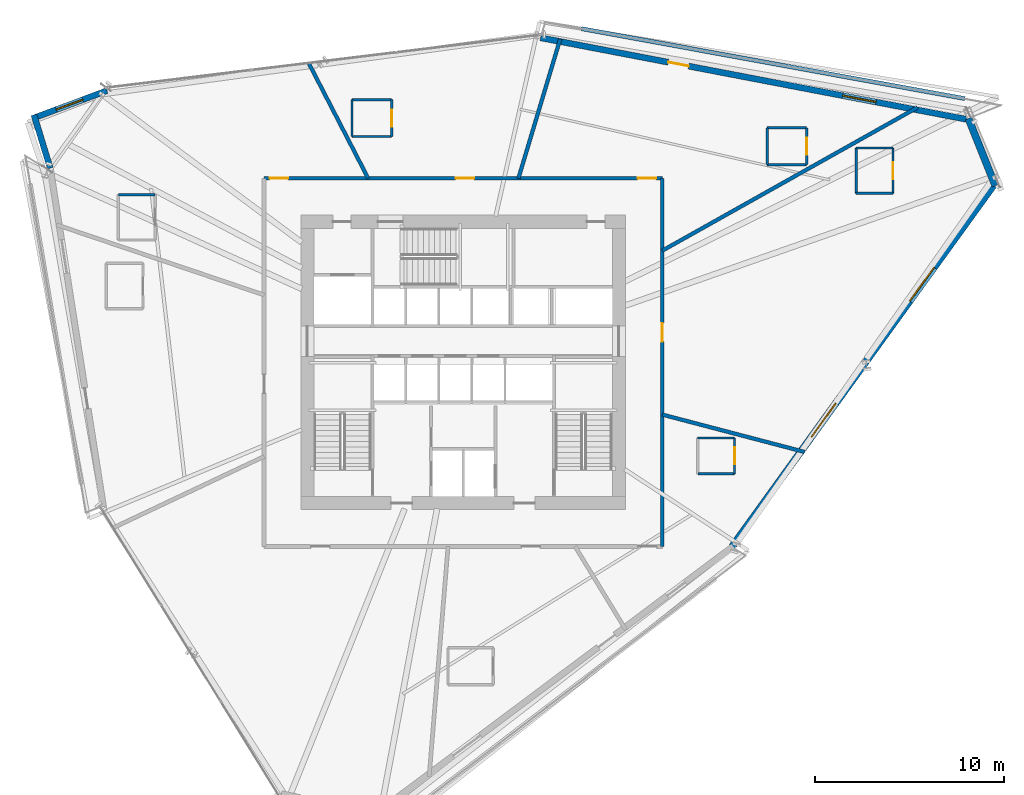
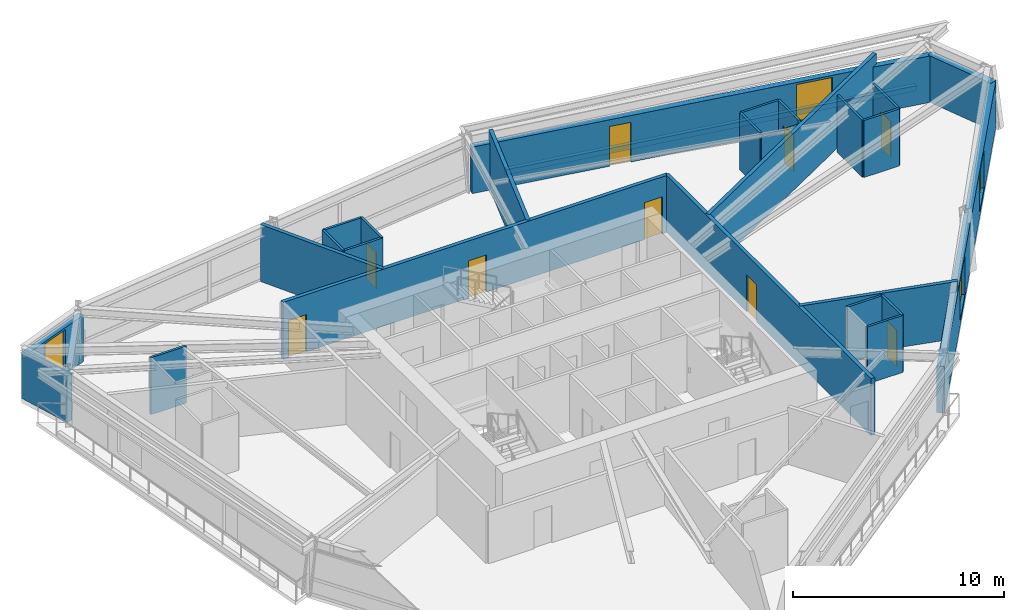
# One storey, part 14 of 18: 28 walls, 9 doors, 4 windows, 13 openings.
"""IFC4 building model written with IfcOpenShell, lengths in metres."""

from ifc_helpers import new_model, si_unit, direction, frame, frame_2d, origin, place, context, subcontext, project, spatial, rectangle, extrude, source, transform, mapped, material, layer, layer_set, type_object, type_shapes, element, fill, save


model = new_model("IFC4")

# Units and contexts
model_context = context("Model", 3, precision=1e-05, world=origin(), true_north=direction((0.0, 1.0)))
body_context = subcontext(model_context, "Body", "Model", "MODEL_VIEW")
ifc_project = project(units=[si_unit("LENGTHUNIT", "METRE"), si_unit("AREAUNIT", "SQUARE_METRE"), si_unit("VOLUMEUNIT", "CUBIC_METRE"), si_unit("PLANEANGLEUNIT", "RADIAN"), si_unit("MASSUNIT", "GRAM", prefix="KILO")], contexts=[model_context])

# Site, building, storey
site_placement = place(None, origin())
site = spatial("IfcSite", under=ifc_project, at=site_placement, CompositionType="ELEMENT")
building_placement = place(site_placement, origin())
building = spatial("IfcBuilding", under=site, at=building_placement, Name="Olszyna Solenne Hotel", CompositionType="ELEMENT")
storey_placement = place(building_placement, frame((0.0, 0.0, 123.449951171875)))
storey = spatial("IfcBuildingStorey", under=building, at=storey_placement, Name="L32", CompositionType="ELEMENT", Elevation=123.449951171875)

# Wall
ifc_material_1 = material(Name="Precast concrete C45/55", Category="concrete")
ifc_layer_1 = layer(ifc_material_1, 0.320068359375, Name="Precast concrete C45/55")
ifc_layer_set_1 = layer_set([ifc_layer_1], Name="Precast concrete C45/55")
wall_type_1 = type_object("IfcWallType", Name="WL-EX320", PredefinedType="SOLIDWALL", material=ifc_layer_set_1)
wall_1_placement = place(storey_placement, frame((16.123779296875, 36.88818359375, 0.0), z_axis=(0.0, 0.0, 1.0), x_axis=(-0.29180664309, 0.956477330128, 0.0)))
element("IfcWall", 1, at=wall_1_placement, inside=storey, type_object=wall_type_1, Name="Exterior terracotta-precast frame wall WL-EX320 EW-L32-05", PredefinedType="SOLIDWALL", context=body_context, shape_type="SweptSolid", body=[
    extrude(rectangle(XDim=2.95166015625, YDim=0.320068359375, at=frame_2d((1.475830078125, 0.0))), origin(), (0.0, 0.0, 1.0), 2.692138671875),
])

# Wall, opening, window
wall_2_placement = place(storey_placement, frame((15.165283203125, 39.514892578125, 0.0), z_axis=(0.0, 0.0, 1.0), x_axis=(0.936906542146, 0.349579935472, 0.0)))
wall_2 = element("IfcWall", 2, at=wall_2_placement, inside=storey, type_object=wall_type_1, Name="Exterior terracotta-precast frame wall WL-EX320 EW-L32-06", PredefinedType="SOLIDWALL", context=body_context, shape_type="SweptSolid", body=[
    extrude(rectangle(XDim=4.230712890625, YDim=0.320068359375, at=frame_2d((2.115234375, 0.0))), origin(), (0.0, 0.0, 1.0), 2.692138671875),
])
opening_1_placement = place(wall_2_placement, frame((1.364990234375, 0.0, 0.27197265625)))
opening_1 = element("IfcOpeningElement", 3, at=opening_1_placement, cuts=wall_2, Name="Opening WN-L32-185", PredefinedType="OPENING", context=body_context, shape_type="SweptSolid", body=[
    extrude(rectangle(XDim=1.5, YDim=2.300048828125, at=frame_2d((0.75, 1.14990234375))), frame((0.0, 0.169921875, 0.0), z_axis=(0.0, -1.0, 0.0), x_axis=(1.0, 0.0, 0.0)), (0.0, 0.0, 1.0), 0.340087890625),
])
ifc_material_2 = material(Name="Low-E triple glazing", Category="glass")
window_type_1 = type_object("IfcWindowType", Name="WN-CH1", PartitioningType="SINGLE_PANEL", PredefinedType="WINDOW", material=ifc_material_2)
shared_shape_1 = source(origin(), body_context, "Body", "SweptSolid", [
    extrude(rectangle(XDim=1.5, YDim=2.300048828125, at=frame_2d((0.75, 1.14990234375))), frame((0.0, 0.030029296875, 0.0), z_axis=(0.0, -1.0, 0.0), x_axis=(1.0, 0.0, 0.0)), (0.0, 0.0, 1.0), 0.06005859375),
])
type_shapes(window_type_1, [shared_shape_1])
window_1_placement = place(opening_1_placement, origin())
window_1 = element("IfcWindow", 4, at=window_1_placement, inside=storey, type_object=window_type_1, Name="Exterior facade window WN-CH1 WN-L32-185", OverallHeight=2.300048828125, OverallWidth=1.5, PartitioningType="SINGLE_PANEL", PredefinedType="WINDOW", context=body_context, shape_type="MappedRepresentation", body=[
    mapped(shared_shape_1, transform((0.0, 0.0, 0.0), x_axis=(1.0, 0.0, 0.0), y_axis=(0.0, 1.0, 0.0), z_axis=(0.0, 0.0, 1.0), scale=1.0)),
])
fill(opening_1, window_1)

# Wall, openings, door, window
wall_3_placement = place(storey_placement, frame((42.101318359375, 43.79443359375, 0.0), z_axis=(0.0, 0.0, 1.0), x_axis=(0.982169357398, -0.187998280282, 0.0)))
wall_3 = element("IfcWall", 5, at=wall_3_placement, inside=storey, type_object=wall_type_1, Name="Exterior terracotta-precast frame wall WL-EX320 EW-L32-08", PredefinedType="SOLIDWALL", context=body_context, shape_type="SweptSolid", body=[
    extrude(rectangle(XDim=23.228515625, YDim=0.320068359375, at=frame_2d((11.6142578125, 0.0))), origin(), (0.0, 0.0, 1.0), 2.692138671875),
])
opening_2_placement = place(wall_3_placement, frame((6.883056640625, 0.0, 0.0)))
opening_2 = element("IfcOpeningElement", 6, at=opening_2_placement, cuts=wall_3, Name="Opening LDG-L32-1", PredefinedType="OPENING", context=body_context, shape_type="SweptSolid", body=[
    extrude(rectangle(XDim=1.10009765625, YDim=2.300048828125, at=frame_2d((0.550048828125, 1.14990234375))), frame((0.0, 0.169921875, 0.0), z_axis=(0.0, -1.0, 0.0), x_axis=(1.0, 0.0, 0.0)), (0.0, 0.0, 1.0), 0.340087890625),
])
opening_3_placement = place(wall_3_placement, frame((16.2890625, 0.0, 0.3720703125)))
opening_3 = element("IfcOpeningElement", 7, at=opening_3_placement, cuts=wall_3, Name="Opening WN-L32-186", PredefinedType="OPENING", context=body_context, shape_type="SweptSolid", body=[
    extrude(rectangle(XDim=1.800048828125, YDim=2.199951171875, at=frame_2d((0.89990234375, 1.10009765625))), frame((0.0, 0.169921875, 0.0), z_axis=(0.0, -1.0, 0.0), x_axis=(1.0, 0.0, 0.0)), (0.0, 0.0, 1.0), 0.340087890625),
])
ifc_material_3 = material(Name="Anodised bronze aluminium", Category="aluminium")
door_type_1 = type_object("IfcDoorType", Name="DR-LG1", OperationType="NOTDEFINED", PredefinedType="DOOR", material=ifc_material_3)
shared_shape_2 = source(origin(), body_context, "Body", "SweptSolid", [
    extrude(rectangle(XDim=1.10009765625, YDim=2.300048828125, at=frame_2d((0.550048828125, 1.14990234375))), frame((0.0, 0.02490234375, 0.0), z_axis=(0.0, -1.0, 0.0), x_axis=(1.0, 0.0, 0.0)), (0.0, 0.0, 1.0), 0.050048828125),
])
type_shapes(door_type_1, [shared_shape_2])
door_1_placement = place(opening_2_placement, origin())
door_1 = element("IfcDoor", 8, at=door_1_placement, inside=storey, type_object=door_type_1, Name="Exterior loggia balcony door DR-LG1 LDG-L32-1", OperationType="SINGLE_SWING_RIGHT", OverallHeight=2.300048828125, OverallWidth=1.10009765625, PredefinedType="DOOR", context=body_context, shape_type="MappedRepresentation", body=[
    mapped(shared_shape_2, transform((0.0, 0.0, 0.0), x_axis=(1.0, 0.0, 0.0), y_axis=(0.0, 1.0, 0.0), z_axis=(0.0, 0.0, 1.0), scale=1.0)),
])
fill(opening_2, door_1)
window_type_2 = type_object("IfcWindowType", Name="WN-HT1", PartitioningType="SINGLE_PANEL", PredefinedType="WINDOW", material=ifc_material_2)
shared_shape_3 = source(origin(), body_context, "Body", "SweptSolid", [
    extrude(rectangle(XDim=1.800048828125, YDim=2.199951171875, at=frame_2d((0.89990234375, 1.10009765625))), frame((0.0, 0.030029296875, 0.0), z_axis=(0.0, -1.0, 0.0), x_axis=(1.0, 0.0, 0.0)), (0.0, 0.0, 1.0), 0.06005859375),
])
type_shapes(window_type_2, [shared_shape_3])
window_2_placement = place(opening_3_placement, origin())
window_2 = element("IfcWindow", 9, at=window_2_placement, inside=storey, type_object=window_type_2, Name="Loggia room window WN-HT1 WN-L32-186", OverallHeight=2.199951171875, OverallWidth=1.800048828125, PartitioningType="SINGLE_PANEL", PredefinedType="WINDOW", context=body_context, shape_type="MappedRepresentation", body=[
    mapped(shared_shape_3, transform((0.0, 0.0, 0.0), x_axis=(1.0, 0.0, 0.0), y_axis=(0.0, 1.0, 0.0), z_axis=(0.0, 0.0, 1.0), scale=1.0)),
])
fill(opening_3, window_2)

# Wall
ifc_material_4 = material(Name="Terracotta cladding on precast concrete C45/55", Category="masonry")
ifc_layer_2 = layer(ifc_material_4, 0.3798828125, Name="Terracotta cladding on precast concrete C45/55")
ifc_layer_set_2 = layer_set([ifc_layer_2], Name="Terracotta cladding on precast concrete C45/55")
wall_type_2 = type_object("IfcWallType", Name="WL-EX380", PredefinedType="SOLIDWALL", material=ifc_layer_set_2)
wall_4_placement = place(storey_placement, frame((64.769287109375, 39.514404296875, 0.0), z_axis=(0.0, 0.0, 1.0), x_axis=(0.370565637882, -0.928806281213, 0.0)))
element("IfcWall", 10, at=wall_4_placement, inside=storey, type_object=wall_type_2, Name="Exterior terracotta-precast frame wall WL-EX380 EW-L32-09", PredefinedType="SOLIDWALL", context=body_context, shape_type="SweptSolid", body=[
    extrude(rectangle(XDim=3.8271484375, YDim=0.3798828125, at=frame_2d((1.91357421875, 0.0))), origin(), (0.0, 0.0, 1.0), 2.692138671875),
])

# Wall, openings, windows
wall_5_placement = place(storey_placement, frame((66.210205078125, 36.1416015625, 0.0), z_axis=(0.0, 0.0, 1.0), x_axis=(-0.586152279149, -0.810200904497, 0.0)))
wall_5 = element("IfcWall", 11, at=wall_5_placement, inside=storey, type_object=wall_type_2, Name="Exterior terracotta-precast frame wall WL-EX380 EW-L32-10", PredefinedType="SOLIDWALL", context=body_context, shape_type="SweptSolid", body=[
    extrude(rectangle(XDim=23.822509765625, YDim=0.3798828125, at=frame_2d((11.9111328125, 0.0))), origin(), (0.0, 0.0, 1.0), 2.692138671875),
])
opening_4_placement = place(wall_5_placement, frame((5.570068359375, 0.0, 0.322021484375)))
opening_4 = element("IfcOpeningElement", 12, at=opening_4_placement, cuts=wall_5, Name="Opening WN-L32-187", PredefinedType="OPENING", context=body_context, shape_type="SweptSolid", body=[
    extrude(rectangle(XDim=2.199951171875, YDim=2.25, at=frame_2d((1.10009765625, 1.125))), frame((0.0, 0.199951171875, 0.0), z_axis=(0.0, -1.0, 0.0), x_axis=(1.0, 0.0, 0.0)), (0.0, 0.0, 1.0), 0.39990234375),
])
opening_5_placement = place(wall_5_placement, frame((14.451904296875, 0.0, 0.322021484375)))
opening_5 = element("IfcOpeningElement", 13, at=opening_5_placement, cuts=wall_5, Name="Opening WN-L32-188", PredefinedType="OPENING", context=body_context, shape_type="SweptSolid", body=[
    extrude(rectangle(XDim=2.199951171875, YDim=2.25, at=frame_2d((1.10009765625, 1.125))), frame((0.0, 0.199951171875, 0.0), z_axis=(0.0, -1.0, 0.0), x_axis=(1.0, 0.0, 0.0)), (0.0, 0.0, 1.0), 0.39990234375),
])
window_type_3 = type_object("IfcWindowType", Name="WN-HT2", PartitioningType="SINGLE_PANEL", PredefinedType="WINDOW", material=ifc_material_2)
shared_shape_4 = source(origin(), body_context, "Body", "SweptSolid", [
    extrude(rectangle(XDim=2.199951171875, YDim=2.25, at=frame_2d((1.10009765625, 1.125))), frame((0.0, 0.030029296875, 0.0), z_axis=(0.0, -1.0, 0.0), x_axis=(1.0, 0.0, 0.0)), (0.0, 0.0, 1.0), 0.06005859375),
])
type_shapes(window_type_3, [shared_shape_4])
window_3_placement = place(opening_4_placement, origin())
window_3 = element("IfcWindow", 14, at=window_3_placement, inside=storey, type_object=window_type_3, Name="Exterior facade window WN-HT2 WN-L32-187", OverallHeight=2.25, OverallWidth=2.199951171875, PartitioningType="SINGLE_PANEL", PredefinedType="WINDOW", context=body_context, shape_type="MappedRepresentation", body=[
    mapped(shared_shape_4, transform((0.0, 0.0, 0.0), x_axis=(1.0, 0.0, 0.0), y_axis=(0.0, 1.0, 0.0), z_axis=(0.0, 0.0, 1.0), scale=1.0)),
])
fill(opening_4, window_3)
window_4_placement = place(opening_5_placement, origin())
window_4 = element("IfcWindow", 15, at=window_4_placement, inside=storey, type_object=window_type_3, Name="Exterior facade window WN-HT2 WN-L32-188", OverallHeight=2.25, OverallWidth=2.199951171875, PartitioningType="SINGLE_PANEL", PredefinedType="WINDOW", context=body_context, shape_type="MappedRepresentation", body=[
    mapped(shared_shape_4, transform((0.0, 0.0, 0.0), x_axis=(1.0, 0.0, 0.0), y_axis=(0.0, 1.0, 0.0), z_axis=(0.0, 0.0, 1.0), scale=1.0)),
])
fill(opening_5, window_4)

# Wall
ifc_layer_3 = layer(ifc_material_1, 0.219970703125, Name="Precast concrete C45/55")
ifc_layer_set_3 = layer_set([ifc_layer_3], Name="Precast concrete C45/55")
wall_type_3 = type_object("IfcWallType", Name="WL-PR220", PredefinedType="PARAPET", material=ifc_layer_set_3)
wall_6_placement = place(storey_placement, frame((64.57958984375, 40.572265625, 0.0), z_axis=(0.0, 0.0, 1.0), x_axis=(-0.983755456177, 0.179513794575, 0.0)))
element("IfcWall", 16, at=wall_6_placement, inside=storey, type_object=wall_type_3, Name="Loggia balcony precast kerb PR-L32-LG1", PredefinedType="PARAPET", context=body_context, shape_type="SweptSolid", body=[
    extrude(rectangle(XDim=20.650390625, YDim=0.219970703125, at=frame_2d((10.3251953125, 0.0))), origin(), (0.0, 0.0, 1.0), 0.300048828125),
])

# Wall, opening, door
ifc_material_5 = material(Name="Acoustic gypsum partition", Category="gypsum")
ifc_layer_4 = layer(ifc_material_5, 0.125, Name="Acoustic gypsum partition")
ifc_layer_set_4 = layer_set([ifc_layer_4], Name="Acoustic gypsum partition")
wall_type_4 = type_object("IfcWallType", Name="WL-PT125", PredefinedType="PARTITIONING", material=ifc_layer_set_4)
wall_7_placement = place(storey_placement, frame((52.375, 20.694091796875, 0.0), z_axis=(0.0, 0.0, 1.0), x_axis=(0.0, 1.0, 0.0)))
wall_7 = element("IfcWall", 17, at=wall_7_placement, inside=storey, type_object=wall_type_4, Name="Interior acoustic partition WL-PT125 PW-L32-1853", PredefinedType="PARTITIONING", context=body_context, shape_type="SweptSolid", body=[
    extrude(rectangle(XDim=1.89990234375, YDim=0.125, at=frame_2d((0.949951171875, 0.0))), origin(), (0.0, 0.0, 1.0), 3.300048828125),
])
opening_6_placement = place(wall_7_placement, frame((0.5, 0.0, 0.0)))
opening_6 = element("IfcOpeningElement", 18, at=opening_6_placement, cuts=wall_7, Name="Opening DR-L32-0441", PredefinedType="OPENING", context=body_context, shape_type="SweptSolid", body=[
    extrude(rectangle(XDim=0.89990234375, YDim=2.10009765625, at=frame_2d((0.449951171875, 1.050048828125))), frame((0.0, 0.072509765625, 0.0), z_axis=(0.0, -1.0, 0.0), x_axis=(1.0, 0.0, 0.0)), (0.0, 0.0, 1.0), 0.14501953125),
])
ifc_material_6 = material(Name="Timber hardwood", Category="wood")
door_type_2 = type_object("IfcDoorType", Name="DR-WC1", OperationType="NOTDEFINED", PredefinedType="DOOR", material=ifc_material_6)
shared_shape_5 = source(origin(), body_context, "Body", "SweptSolid", [
    extrude(rectangle(XDim=0.89990234375, YDim=2.10009765625, at=frame_2d((0.449951171875, 1.050048828125))), frame((0.0, 0.02490234375, 0.0), z_axis=(0.0, -1.0, 0.0), x_axis=(1.0, 0.0, 0.0)), (0.0, 0.0, 1.0), 0.050048828125),
])
type_shapes(door_type_2, [shared_shape_5])
door_2_placement = place(opening_6_placement, origin())
door_2 = element("IfcDoor", 19, at=door_2_placement, inside=storey, type_object=door_type_2, Name="En-Suite Bathroom Door DR-L32-0441", OperationType="SINGLE_SWING_LEFT", OverallHeight=2.10009765625, OverallWidth=0.89990234375, PredefinedType="DOOR", context=body_context, shape_type="MappedRepresentation", body=[
    mapped(shared_shape_5, transform((0.0, 0.0, 0.0), x_axis=(1.0, 0.0, 0.0), y_axis=(0.0, 1.0, 0.0), z_axis=(0.0, 0.0, 1.0), scale=1.0)),
])
fill(opening_6, door_2)

# Walls
for number, where, z_axis, x_axis, name in (
    (20, (52.375, 22.593994140625, 0.0), (0.0, 0.0, 1.0), (-1.0, 0.0, 0.0), "Interior acoustic partition WL-PT125 PW-L32-1854"),
    (21, (50.425048828125, 20.694091796875, 0.0), (0.0, 0.0, 1.0), (1.0, 0.0, 0.0), "Interior acoustic partition WL-PT125 PW-L32-1856"),
):
    element("IfcWall", number, at=place(storey_placement, frame(where, z_axis=z_axis, x_axis=x_axis)), inside=storey, type_object=wall_type_4, Name=name, PredefinedType="PARTITIONING", context=body_context, shape_type="SweptSolid", body=[
        extrude(rectangle(XDim=1.949951171875, YDim=0.125, at=frame_2d((0.97509765625, 0.0))), origin(), (0.0, 0.0, 1.0), 3.300048828125),
    ])

# Wall, opening, door
wall_8_placement = place(storey_placement, frame((60.76904296875, 35.55908203125, 0.0), z_axis=(0.0, 0.0, 1.0), x_axis=(0.0, 1.0, 0.0)))
wall_8 = element("IfcWall", 22, at=wall_8_placement, inside=storey, type_object=wall_type_4, Name="Interior acoustic partition WL-PT125 PW-L32-1857", PredefinedType="PARTITIONING", context=body_context, shape_type="SweptSolid", body=[
    extrude(rectangle(XDim=2.39990234375, YDim=0.125, at=frame_2d((1.199951171875, 0.0))), origin(), (0.0, 0.0, 1.0), 3.300048828125),
])
opening_7_placement = place(wall_8_placement, frame((0.75, 0.0, 0.0)))
opening_7 = element("IfcOpeningElement", 23, at=opening_7_placement, cuts=wall_8, Name="Opening DR-L32-0442", PredefinedType="OPENING", context=body_context, shape_type="SweptSolid", body=[
    extrude(rectangle(XDim=0.89990234375, YDim=2.10009765625, at=frame_2d((0.449951171875, 1.050048828125))), frame((0.0, 0.072509765625, 0.0), z_axis=(0.0, -1.0, 0.0), x_axis=(1.0, 0.0, 0.0)), (0.0, 0.0, 1.0), 0.14501953125),
])
door_3_placement = place(opening_7_placement, origin())
door_3 = element("IfcDoor", 24, at=door_3_placement, inside=storey, type_object=door_type_2, Name="En-Suite Bathroom Door DR-L32-0442", OperationType="SINGLE_SWING_LEFT", OverallHeight=2.10009765625, OverallWidth=0.89990234375, PredefinedType="DOOR", context=body_context, shape_type="MappedRepresentation", body=[
    mapped(shared_shape_5, transform((0.0, 0.0, 0.0), x_axis=(1.0, 0.0, 0.0), y_axis=(0.0, 1.0, 0.0), z_axis=(0.0, 0.0, 1.0), scale=1.0)),
])
fill(opening_7, door_3)

# Walls
wall_9_placement = place(storey_placement, frame((60.76904296875, 37.958984375, 0.0), z_axis=(0.0, 0.0, 1.0), x_axis=(-1.0, 0.0, 0.0)))
element("IfcWall", 25, at=wall_9_placement, inside=storey, type_object=wall_type_4, Name="Interior acoustic partition WL-PT125 PW-L32-1858", PredefinedType="PARTITIONING", context=body_context, shape_type="SweptSolid", body=[
    extrude(rectangle(XDim=1.949951171875, YDim=0.125, at=frame_2d((0.97509765625, 0.0))), origin(), (0.0, 0.0, 1.0), 2.795166015625),
])
wall_10_placement = place(storey_placement, frame((58.819091796875, 37.958984375, 0.0), z_axis=(0.0, 0.0, 1.0), x_axis=(0.0, -1.0, 0.0)))
element("IfcWall", 26, at=wall_10_placement, inside=storey, type_object=wall_type_4, Name="Interior acoustic partition WL-PT125 PW-L32-1859", PredefinedType="PARTITIONING", context=body_context, shape_type="SweptSolid", body=[
    extrude(rectangle(XDim=2.39990234375, YDim=0.125, at=frame_2d((1.199951171875, 0.0))), origin(), (0.0, 0.0, 1.0), 3.300048828125),
])
wall_11_placement = place(storey_placement, frame((58.819091796875, 35.55908203125, 0.0), z_axis=(0.0, 0.0, 1.0), x_axis=(1.0, 0.0, 0.0)))
element("IfcWall", 27, at=wall_11_placement, inside=storey, type_object=wall_type_4, Name="Interior acoustic partition WL-PT125 PW-L32-1860", PredefinedType="PARTITIONING", context=body_context, shape_type="SweptSolid", body=[
    extrude(rectangle(XDim=1.949951171875, YDim=0.125, at=frame_2d((0.97509765625, 0.0))), origin(), (0.0, 0.0, 1.0), 3.300048828125),
])

# Wall, opening, door
wall_12_placement = place(storey_placement, frame((56.198974609375, 37.077880859375, 0.0), z_axis=(0.0, 0.0, 1.0), x_axis=(0.0, 1.0, 0.0)))
wall_12 = element("IfcWall", 28, at=wall_12_placement, inside=storey, type_object=wall_type_4, Name="Interior acoustic partition WL-PT125 PW-L32-1861", PredefinedType="PARTITIONING", context=body_context, shape_type="SweptSolid", body=[
    extrude(rectangle(XDim=1.9501953125, YDim=0.125, at=frame_2d((0.97509765625, 0.0))), origin(), (0.0, 0.0, 1.0), 3.300048828125),
])
opening_8_placement = place(wall_12_placement, frame((0.52490234375, 0.0, 0.0)))
opening_8 = element("IfcOpeningElement", 29, at=opening_8_placement, cuts=wall_12, Name="Opening DR-L32-0443", PredefinedType="OPENING", context=body_context, shape_type="SweptSolid", body=[
    extrude(rectangle(XDim=0.89990234375, YDim=2.10009765625, at=frame_2d((0.449951171875, 1.050048828125))), frame((0.0, 0.072509765625, 0.0), z_axis=(0.0, -1.0, 0.0), x_axis=(1.0, 0.0, 0.0)), (0.0, 0.0, 1.0), 0.14501953125),
])
door_4_placement = place(opening_8_placement, origin())
door_4 = element("IfcDoor", 30, at=door_4_placement, inside=storey, type_object=door_type_2, Name="En-Suite Bathroom Door DR-L32-0443", OperationType="SINGLE_SWING_LEFT", OverallHeight=2.10009765625, OverallWidth=0.89990234375, PredefinedType="DOOR", context=body_context, shape_type="MappedRepresentation", body=[
    mapped(shared_shape_5, transform((0.0, 0.0, 0.0), x_axis=(1.0, 0.0, 0.0), y_axis=(0.0, 1.0, 0.0), z_axis=(0.0, 0.0, 1.0), scale=1.0)),
])
fill(opening_8, door_4)

# Walls
wall_13_placement = place(storey_placement, frame((56.198974609375, 39.028076171875, 0.0), z_axis=(0.0, 0.0, 1.0), x_axis=(-1.0, 0.0, 0.0)))
element("IfcWall", 31, at=wall_13_placement, inside=storey, type_object=wall_type_4, Name="Interior acoustic partition WL-PT125 PW-L32-1862", PredefinedType="PARTITIONING", context=body_context, shape_type="SweptSolid", body=[
    extrude(rectangle(XDim=2.099853515625, YDim=0.125, at=frame_2d((1.0498046875, 0.0))), origin(), (0.0, 0.0, 1.0), 3.300048828125),
])
wall_14_placement = place(storey_placement, frame((54.09912109375, 39.028076171875, 0.0), z_axis=(0.0, 0.0, 1.0), x_axis=(0.0, -1.0, 0.0)))
element("IfcWall", 32, at=wall_14_placement, inside=storey, type_object=wall_type_4, Name="Interior acoustic partition WL-PT125 PW-L32-1863", PredefinedType="PARTITIONING", context=body_context, shape_type="SweptSolid", body=[
    extrude(rectangle(XDim=1.9501953125, YDim=0.125, at=frame_2d((0.97509765625, 0.0))), origin(), (0.0, 0.0, 1.0), 3.300048828125),
])
wall_15_placement = place(storey_placement, frame((54.09912109375, 37.077880859375, 0.0), z_axis=(0.0, 0.0, 1.0), x_axis=(1.0, 0.0, 0.0)))
element("IfcWall", 33, at=wall_15_placement, inside=storey, type_object=wall_type_4, Name="Interior acoustic partition WL-PT125 PW-L32-1864", PredefinedType="PARTITIONING", context=body_context, shape_type="SweptSolid", body=[
    extrude(rectangle(XDim=2.099853515625, YDim=0.125, at=frame_2d((1.0498046875, 0.0))), origin(), (0.0, 0.0, 1.0), 3.045166015625),
])

# Wall, opening, door
wall_16_placement = place(storey_placement, frame((34.2109375, 38.56689453125, 0.0), z_axis=(0.0, 0.0, 1.0), x_axis=(0.0, 1.0, 0.0)))
wall_16 = element("IfcWall", 34, at=wall_16_placement, inside=storey, type_object=wall_type_4, Name="Interior acoustic partition WL-PT125 PW-L32-1865", PredefinedType="PARTITIONING", context=body_context, shape_type="SweptSolid", body=[
    extrude(rectangle(XDim=1.9501953125, YDim=0.125, at=frame_2d((0.97509765625, 0.0))), origin(), (0.0, 0.0, 1.0), 3.300048828125),
])
opening_9_placement = place(wall_16_placement, frame((0.52490234375, 0.0, 0.0)))
opening_9 = element("IfcOpeningElement", 35, at=opening_9_placement, cuts=wall_16, Name="Opening DR-L32-0444", PredefinedType="OPENING", context=body_context, shape_type="SweptSolid", body=[
    extrude(rectangle(XDim=0.89990234375, YDim=2.10009765625, at=frame_2d((0.449951171875, 1.050048828125))), frame((0.0, 0.072509765625, 0.0), z_axis=(0.0, -1.0, 0.0), x_axis=(1.0, 0.0, 0.0)), (0.0, 0.0, 1.0), 0.14501953125),
])
door_5_placement = place(opening_9_placement, origin())
door_5 = element("IfcDoor", 36, at=door_5_placement, inside=storey, type_object=door_type_2, Name="En-Suite Bathroom Door DR-L32-0444", OperationType="SINGLE_SWING_LEFT", OverallHeight=2.10009765625, OverallWidth=0.89990234375, PredefinedType="DOOR", context=body_context, shape_type="MappedRepresentation", body=[
    mapped(shared_shape_5, transform((0.0, 0.0, 0.0), x_axis=(1.0, 0.0, 0.0), y_axis=(0.0, 1.0, 0.0), z_axis=(0.0, 0.0, 1.0), scale=1.0)),
])
fill(opening_9, door_5)

# Walls
wall_17_placement = place(storey_placement, frame((34.2109375, 40.51708984375, 0.0), z_axis=(0.0, 0.0, 1.0), x_axis=(-1.0, 0.0, 0.0)))
element("IfcWall", 37, at=wall_17_placement, inside=storey, type_object=wall_type_4, Name="Interior acoustic partition WL-PT125 PW-L32-1866", PredefinedType="PARTITIONING", context=body_context, shape_type="SweptSolid", body=[
    extrude(rectangle(XDim=2.099853515625, YDim=0.125, at=frame_2d((1.0498046875, 0.0))), origin(), (0.0, 0.0, 1.0), 3.300048828125),
])
wall_18_placement = place(storey_placement, frame((32.111083984375, 40.51708984375, 0.0), z_axis=(0.0, 0.0, 1.0), x_axis=(0.0, -1.0, 0.0)))
element("IfcWall", 38, at=wall_18_placement, inside=storey, type_object=wall_type_4, Name="Interior acoustic partition WL-PT125 PW-L32-1867", PredefinedType="PARTITIONING", context=body_context, shape_type="SweptSolid", body=[
    extrude(rectangle(XDim=1.9501953125, YDim=0.125, at=frame_2d((0.97509765625, 0.0))), origin(), (0.0, 0.0, 1.0), 3.300048828125),
])
wall_19_placement = place(storey_placement, frame((32.111083984375, 38.56689453125, 0.0), z_axis=(0.0, 0.0, 1.0), x_axis=(1.0, 0.0, 0.0)))
element("IfcWall", 39, at=wall_19_placement, inside=storey, type_object=wall_type_4, Name="Interior acoustic partition WL-PT125 PW-L32-1868", PredefinedType="PARTITIONING", context=body_context, shape_type="SweptSolid", body=[
    extrude(rectangle(XDim=2.099853515625, YDim=0.125, at=frame_2d((1.0498046875, 0.0))), origin(), (0.0, 0.0, 1.0), 3.300048828125),
])
wall_20_placement = place(storey_placement, frame((21.68701171875, 35.48291015625, 0.0), z_axis=(0.0, 0.0, 1.0), x_axis=(-1.0, 0.0, 0.0)))
element("IfcWall", 40, at=wall_20_placement, inside=storey, type_object=wall_type_4, Name="Interior acoustic partition WL-PT125 PW-L32-1870", PredefinedType="PARTITIONING", context=body_context, shape_type="SweptSolid", body=[
    extrude(rectangle(XDim=1.949951171875, YDim=0.125, at=frame_2d((0.97509765625, 0.0))), origin(), (0.0, 0.0, 1.0), 3.300048828125),
])
ifc_layer_5 = layer(ifc_material_5, 0.199951171875, Name="Acoustic gypsum partition")
ifc_layer_set_5 = layer_set([ifc_layer_5], Name="Acoustic gypsum partition")
wall_type_5 = type_object("IfcWallType", Name="WL-PT200", PredefinedType="PARTITIONING", material=ifc_layer_set_5)
wall_21_placement = place(storey_placement, frame((48.550048828125, 23.832275390625, 0.0), z_axis=(0.0, 0.0, 1.0), x_axis=(0.967269395898, -0.253751681295, 0.0)))
element("IfcWall", 41, at=wall_21_placement, inside=storey, type_object=wall_type_5, Name="Interior acoustic partition WL-PT200 PW-L32-1846", PredefinedType="PARTITIONING", context=body_context, shape_type="SweptSolid", body=[
    extrude(rectangle(XDim=7.77880859375, YDim=0.199951171875, at=frame_2d((3.889404296875, 0.0))), origin(), (0.0, 0.0, 1.0), 3.300048828125),
])
wall_22_placement = place(storey_placement, frame((48.550048828125, 32.5205078125, 0.0), z_axis=(0.0, 0.0, 1.0), x_axis=(0.872074014934, 0.489374000613, 0.0)))
element("IfcWall", 42, at=wall_22_placement, inside=storey, type_object=wall_type_5, Name="Interior acoustic partition WL-PT200 PW-L32-1847", PredefinedType="PARTITIONING", context=body_context, shape_type="SweptSolid", body=[
    extrude(rectangle(XDim=15.498779296875, YDim=0.199951171875, at=frame_2d((7.74951171875, 0.0))), origin(), (0.0, 0.0, 1.0), 3.300048828125),
])
wall_23_placement = place(storey_placement, frame((40.925048828125, 36.35009765625, 0.0), z_axis=(0.0, 0.0, 1.0), x_axis=(0.287368239357, 0.957820178848, 0.0)))
element("IfcWall", 43, at=wall_23_placement, inside=storey, type_object=wall_type_5, Name="Interior acoustic partition WL-PT200 PW-L32-1848", PredefinedType="PARTITIONING", context=body_context, shape_type="SweptSolid", body=[
    extrude(rectangle(XDim=7.703125, YDim=0.199951171875, at=frame_2d((3.8515625, 0.0))), origin(), (0.0, 0.0, 1.0), 3.300048828125),
])
wall_24_placement = place(storey_placement, frame((32.967529296875, 36.35009765625, 0.0), z_axis=(0.0, 0.0, 1.0), x_axis=(-0.458650198855, 0.88861690007, 0.0)))
element("IfcWall", 44, at=wall_24_placement, inside=storey, type_object=wall_type_5, Name="Interior acoustic partition WL-PT200 PW-L32-1849", PredefinedType="PARTITIONING", context=body_context, shape_type="SweptSolid", body=[
    extrude(rectangle(XDim=6.834716796875, YDim=0.199951171875, at=frame_2d((3.41748046875, 0.0))), origin(), (0.0, 0.0, 1.0), 3.300048828125),
])

# Wall, openings, doors
wall_25_placement = place(storey_placement, frame((27.449951171875, 36.35009765625, 0.0), z_axis=(0.0, 0.0, 1.0), x_axis=(1.0, 0.0, 0.0)))
wall_25 = element("IfcWall", 45, at=wall_25_placement, inside=storey, type_object=wall_type_5, Name="Interior acoustic partition WL-PT200 PW-L32-1883", PredefinedType="PARTITIONING", context=body_context, shape_type="SweptSolid", body=[
    extrude(rectangle(XDim=21.10009765625, YDim=0.199951171875, at=frame_2d((10.550048828125, 0.0))), origin(), (0.0, 0.0, 1.0), 3.300048828125),
])
opening_10_placement = place(wall_25_placement, frame((19.7880859375, 0.0, 0.0)))
opening_10 = element("IfcOpeningElement", 46, at=opening_10_placement, cuts=wall_25, Name="Opening DR-L32-0452", PredefinedType="OPENING", context=body_context, shape_type="SweptSolid", body=[
    extrude(rectangle(XDim=0.97998046875, YDim=2.14990234375, at=frame_2d((0.489990234375, 1.074951171875))), frame((0.0, 0.10986328125, 0.0), z_axis=(0.0, -1.0, 0.0), x_axis=(1.0, 0.0, 0.0)), (0.0, 0.0, 1.0), 0.219970703125),
])
opening_11_placement = place(wall_25_placement, frame((10.14697265625, 0.0, 0.0)))
opening_11 = element("IfcOpeningElement", 47, at=opening_11_placement, cuts=wall_25, Name="Opening DR-L32-0453", PredefinedType="OPENING", context=body_context, shape_type="SweptSolid", body=[
    extrude(rectangle(XDim=0.97998046875, YDim=2.14990234375, at=frame_2d((0.489990234375, 1.074951171875))), frame((0.0, 0.10986328125, 0.0), z_axis=(0.0, -1.0, 0.0), x_axis=(1.0, 0.0, 0.0)), (0.0, 0.0, 1.0), 0.219970703125),
])
opening_12_placement = place(wall_25_placement, frame((0.300048828125, 0.0, 0.0)))
opening_12 = element("IfcOpeningElement", 48, at=opening_12_placement, cuts=wall_25, Name="Opening DR-L32-0454", PredefinedType="OPENING", context=body_context, shape_type="SweptSolid", body=[
    extrude(rectangle(XDim=0.97998046875, YDim=2.14990234375, at=frame_2d((0.489990234375, 1.074951171875))), frame((0.0, 0.10986328125, 0.0), z_axis=(0.0, -1.0, 0.0), x_axis=(1.0, 0.0, 0.0)), (0.0, 0.0, 1.0), 0.219970703125),
])
door_type_3 = type_object("IfcDoorType", Name="DR-RM1", OperationType="NOTDEFINED", PredefinedType="DOOR", material=ifc_material_6)
shared_shape_6 = source(origin(), body_context, "Body", "SweptSolid", [
    extrude(rectangle(XDim=0.97998046875, YDim=2.14990234375, at=frame_2d((0.489990234375, 1.074951171875))), frame((0.0, 0.02490234375, 0.0), z_axis=(0.0, -1.0, 0.0), x_axis=(1.0, 0.0, 0.0)), (0.0, 0.0, 1.0), 0.050048828125),
])
type_shapes(door_type_3, [shared_shape_6])
door_6_placement = place(opening_10_placement, origin())
door_6 = element("IfcDoor", 49, at=door_6_placement, inside=storey, type_object=door_type_3, Name="Premier King Suite Entrance Door DR-L32-0452", OperationType="SINGLE_SWING_LEFT", OverallHeight=2.14990234375, OverallWidth=0.97998046875, PredefinedType="DOOR", context=body_context, shape_type="MappedRepresentation", body=[
    mapped(shared_shape_6, transform((0.0, 0.0, 0.0), x_axis=(1.0, 0.0, 0.0), y_axis=(0.0, 1.0, 0.0), z_axis=(0.0, 0.0, 1.0), scale=1.0)),
])
fill(opening_10, door_6)
door_7_placement = place(opening_11_placement, origin())
door_7 = element("IfcDoor", 50, at=door_7_placement, inside=storey, type_object=door_type_3, Name="Premier King Suite Entrance Door DR-L32-0453", OperationType="SINGLE_SWING_RIGHT", OverallHeight=2.14990234375, OverallWidth=0.97998046875, PredefinedType="DOOR", context=body_context, shape_type="MappedRepresentation", body=[
    mapped(shared_shape_6, transform((0.0, 0.0, 0.0), x_axis=(1.0, 0.0, 0.0), y_axis=(0.0, 1.0, 0.0), z_axis=(0.0, 0.0, 1.0), scale=1.0)),
])
fill(opening_11, door_7)
door_8_placement = place(opening_12_placement, origin())
door_8 = element("IfcDoor", 51, at=door_8_placement, inside=storey, type_object=door_type_3, Name="Premier King Suite Entrance Door DR-L32-0454", OperationType="SINGLE_SWING_LEFT", OverallHeight=2.14990234375, OverallWidth=0.97998046875, PredefinedType="DOOR", context=body_context, shape_type="MappedRepresentation", body=[
    mapped(shared_shape_6, transform((0.0, 0.0, 0.0), x_axis=(1.0, 0.0, 0.0), y_axis=(0.0, 1.0, 0.0), z_axis=(0.0, 0.0, 1.0), scale=1.0)),
])
fill(opening_12, door_8)

# Wall, opening, door
wall_26_placement = place(storey_placement, frame((48.550048828125, 16.85009765625, 0.0), z_axis=(0.0, 0.0, 1.0), x_axis=(0.0, 1.0, 0.0)))
wall_26 = element("IfcWall", 52, at=wall_26_placement, inside=storey, type_object=wall_type_5, Name="Interior acoustic partition WL-PT200 PW-L32-1884", PredefinedType="PARTITIONING", context=body_context, shape_type="SweptSolid", body=[
    extrude(rectangle(XDim=19.5, YDim=0.199951171875, at=frame_2d((9.75, 0.0))), origin(), (0.0, 0.0, 1.0), 3.300048828125),
])
opening_13_placement = place(wall_26_placement, frame((10.85107421875, 0.0, 0.0)))
opening_13 = element("IfcOpeningElement", 53, at=opening_13_placement, cuts=wall_26, Name="Opening DR-L32-0455", PredefinedType="OPENING", context=body_context, shape_type="SweptSolid", body=[
    extrude(rectangle(XDim=0.97998046875, YDim=2.14990234375, at=frame_2d((0.489990234375, 1.074951171875))), frame((0.0, 0.10986328125, 0.0), z_axis=(0.0, -1.0, 0.0), x_axis=(1.0, 0.0, 0.0)), (0.0, 0.0, 1.0), 0.219970703125),
])
door_9_placement = place(opening_13_placement, origin())
door_9 = element("IfcDoor", 54, at=door_9_placement, inside=storey, type_object=door_type_3, Name="Premier King Suite Entrance Door DR-L32-0455", OperationType="SINGLE_SWING_RIGHT", OverallHeight=2.14990234375, OverallWidth=0.97998046875, PredefinedType="DOOR", context=body_context, shape_type="MappedRepresentation", body=[
    mapped(shared_shape_6, transform((0.0, 0.0, 0.0), x_axis=(1.0, 0.0, 0.0), y_axis=(0.0, 1.0, 0.0), z_axis=(0.0, 0.0, 1.0), scale=1.0)),
])
fill(opening_13, door_9)

save(model, "model.ifc")
